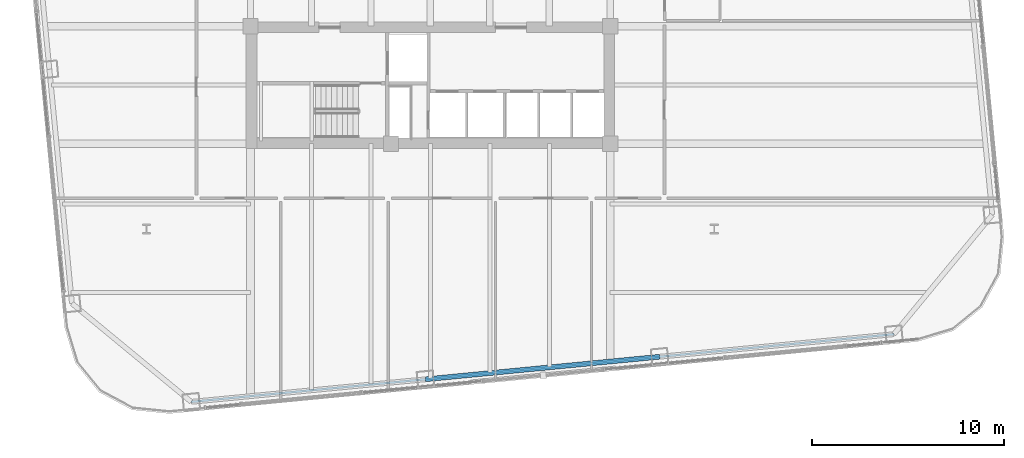
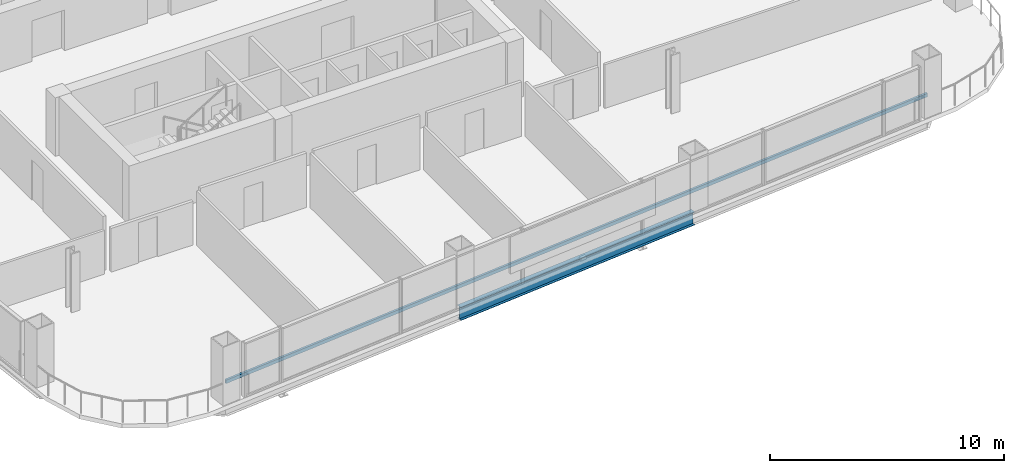
# One storey, part 6 of 34: 1 beam, 1 member.
"""IFC4 building model written with IfcOpenShell, lengths in metres."""

from ifc_helpers import new_model, si_unit, direction, frame, origin, origin_2d, place, context, subcontext, project, spatial, hollow_rectangle, i_section, extrude, material, material_profile, profile_set, type_object, element, save


model = new_model("IFC4")

# Units and contexts
model_context = context("Model", 3, precision=1e-05, world=origin(), true_north=direction((0.0, 1.0)))
body_context = subcontext(model_context, "Body", "Model", "MODEL_VIEW")
ifc_project = project(units=[si_unit("LENGTHUNIT", "METRE"), si_unit("AREAUNIT", "SQUARE_METRE"), si_unit("VOLUMEUNIT", "CUBIC_METRE"), si_unit("PLANEANGLEUNIT", "RADIAN"), si_unit("MASSUNIT", "GRAM", prefix="KILO")], contexts=[model_context])

# Site, building, storey
site_placement = place(None, origin())
site = spatial("IfcSite", under=ifc_project, at=site_placement, CompositionType="ELEMENT")
building_placement = place(site_placement, origin())
building = spatial("IfcBuilding", under=site, at=building_placement, Name="Qhalaya Broadcast Tower", CompositionType="ELEMENT")
storey_placement = place(building_placement, frame((0.0, 0.0, 78.60009765625)))
storey = spatial("IfcBuildingStorey", under=building, at=storey_placement, Name="L22", CompositionType="ELEMENT", Elevation=78.60009765625)

# Member
ifc_material_1 = material(Name="Fired Architectural Terracotta", Category="masonry")
ifc_material_profile_1 = material_profile(ifc_material_1, hollow_rectangle(XDim=0.110107421875, YDim=0.179931640625, WallThickness=0.01806640625, at=origin_2d()), Name="TB-BAG 110x180x18")
ifc_profile_set_1 = profile_set([ifc_material_profile_1], Name="Fired Architectural Terracotta")
member_type = type_object("IfcMemberType", Name="Fired Terracotta Facade Baguette Member TB1", PredefinedType="USERDEFINED", material=ifc_profile_set_1)
member_placement = place(storey_placement, frame((-12.46533203125, -22.212646484375, 0.848876953125), z_axis=(0.995396269574, 0.095845013007, 0.0), x_axis=(-0.095845013007, 0.995396269574, 0.0)))
element("IfcMember", 1, at=member_placement, inside=storey, type_object=member_type, Name="L22 Terracotta Baguette Feature Rail S", ObjectType="BAGUETTE", PredefinedType="USERDEFINED", context=body_context, shape_type="SweptSolid", body=[
    extrude(hollow_rectangle(XDim=0.110107421875, YDim=0.179931640625, WallThickness=0.01806640625, at=origin_2d()), origin(), (0.0, 0.0, 1.0), 36.800048828125),
])

# Beam
ifc_material_2 = material(Name="Structural Steel ASTM A992 Grade 50", Category="steel")
ifc_material_profile_2 = material_profile(ifc_material_2, i_section(OverallWidth=0.25390625, OverallDepth=0.68310546875, WebThickness=0.012451171875, FlangeThickness=0.01904296875, at=origin_2d()), Name="W27X94")
ifc_profile_set_2 = profile_set([ifc_material_profile_2], Name="Structural Steel ASTM A992 Grade 50")
beam_type = type_object("IfcBeamType", Name="Perimeter Ring Spandrel Beam SP1", PredefinedType="SPANDREL", material=ifc_profile_set_2)
beam_placement = place(storey_placement, frame((-0.255126953125, -21.036865234375, -0.5615234375), z_axis=(0.99539563662, 0.095851586307, 0.0), x_axis=(-0.095851586307, 0.99539563662, 0.0)))
element("IfcBeam", 2, at=beam_placement, inside=storey, type_object=beam_type, Name="L22 SP1 L22-SPR-02", PredefinedType="SPANDREL", context=body_context, shape_type="SweptSolid", body=[
    extrude(i_section(OverallWidth=0.25390625, OverallDepth=0.68310546875, WebThickness=0.012451171875, FlangeThickness=0.01904296875, at=origin_2d()), origin(), (0.0, 0.0, 1.0), 12.2666015625),
])

save(model, "model.ifc")
